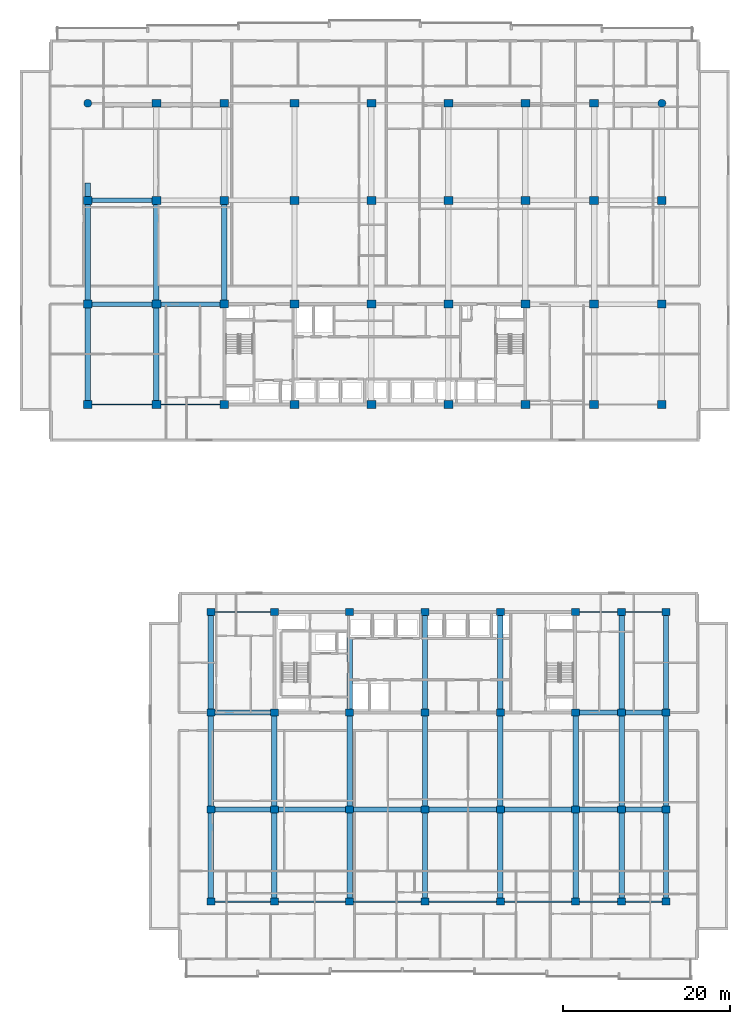
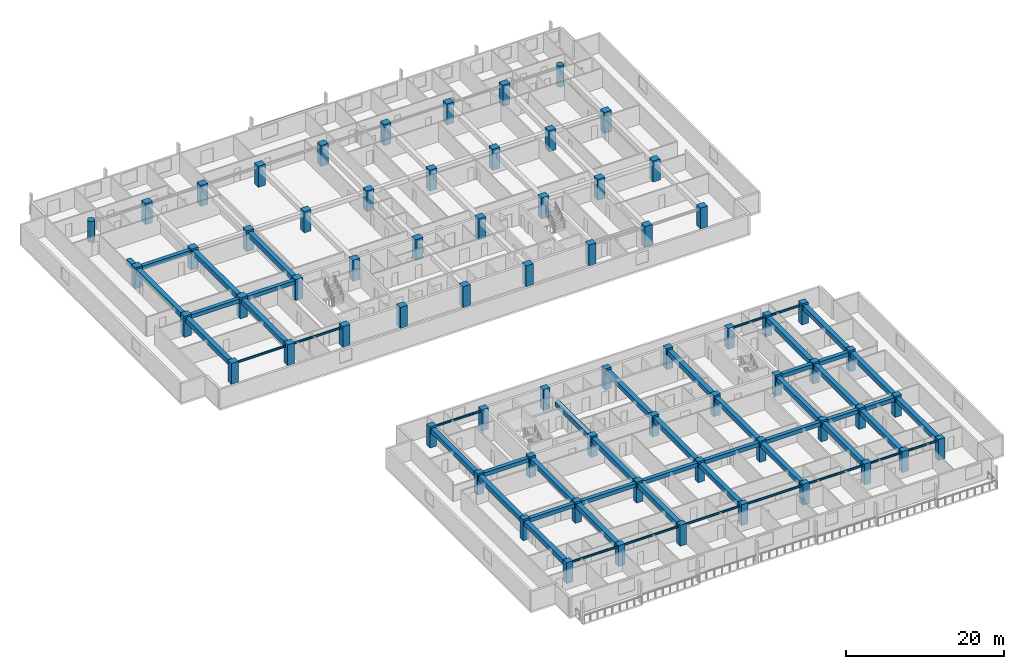
# One storey, part 1 of 23: 68 columns, 53 beams.
"""IFC4 building model written with IfcOpenShell, lengths in metres."""

from ifc_helpers import new_model, si_unit, direction, frame, origin, origin_2d, place, context, subcontext, project, spatial, rectangle, circle, i_section, extrude, material, material_profile, profile_set, type_object, element, save


model = new_model("IFC4")

# Units and contexts
model_context = context("Model", 3, precision=1e-05, world=origin(), true_north=direction((0.0, 1.0)))
body_context = subcontext(model_context, "Body", "Model", "MODEL_VIEW")
ifc_project = project(units=[si_unit("LENGTHUNIT", "METRE"), si_unit("AREAUNIT", "SQUARE_METRE"), si_unit("VOLUMEUNIT", "CUBIC_METRE"), si_unit("PLANEANGLEUNIT", "RADIAN"), si_unit("MASSUNIT", "GRAM", prefix="KILO")], contexts=[model_context])

# Site, building, storey
site_placement = place(None, origin())
site = spatial("IfcSite", under=ifc_project, at=site_placement, CompositionType="ELEMENT")
building_placement = place(site_placement, origin())
building = spatial("IfcBuilding", under=site, at=building_placement, Name="Korimba Cascade Residences", CompositionType="ELEMENT")
storey_placement = place(building_placement, frame((0.0, 0.0, 53.25)))
storey = spatial("IfcBuildingStorey", under=building, at=storey_placement, Name="L14", CompositionType="ELEMENT", Elevation=53.25)

# Columns
ifc_material_1 = material(Name="Concrete C80/95", Category="concrete")
ifc_material_profile_1 = material_profile(ifc_material_1, rectangle(XDim=1.050048828125, YDim=0.949951171875, at=origin_2d()), Name="Concrete C80/95")
ifc_profile_set_1 = profile_set([ifc_material_profile_1], Name="Concrete C80/95")
column_type_1 = type_object("IfcColumnType", Name="COL-RC-1050", PredefinedType="COLUMN", material=ifc_profile_set_1)
for number, where, z_axis, x_axis, name in (
    (1, (59.800048828125, 55.199951171875, 0.0), (0.0, 0.0, 1.0), (1.0, 0.0, 0.0), "L14 Tower 1 Column 1.1"),
    (2, (59.800048828125, 67.199951171875, 0.0), (0.0, 0.0, 1.0), (1.0, 0.0, 0.0), "L14 Tower 1 Column 1.2"),
    (3, (59.800048828125, 79.60009765625, 0.0), (0.0, 0.0, 1.0), (1.0, 0.0, 0.0), "L14 Tower 1 Column 1.3"),
    (4, (68.0, 55.199951171875, 0.0), (0.0, 0.0, 1.0), (1.0, 0.0, 0.0), "L14 Tower 1 Column 2.1"),
    (5, (68.0, 67.199951171875, 0.0), (0.0, 0.0, 1.0), (1.0, 0.0, 0.0), "L14 Tower 1 Column 2.2"),
    (6, (68.0, 79.60009765625, 0.0), (0.0, 0.0, 1.0), (1.0, 0.0, 0.0), "L14 Tower 1 Column 2.3"),
    (7, (68.0, 91.199951171875, 0.0), (0.0, 0.0, 1.0), (1.0, 0.0, 0.0), "L14 Tower 1 Column 2.4"),
    (8, (76.10009765625, 55.199951171875, 0.0), (0.0, 0.0, 1.0), (1.0, 0.0, 0.0), "L14 Tower 1 Column 3.1"),
    (9, (76.10009765625, 67.199951171875, 0.0), (0.0, 0.0, 1.0), (1.0, 0.0, 0.0), "L14 Tower 1 Column 3.2"),
    (10, (76.10009765625, 79.60009765625, 0.0), (0.0, 0.0, 1.0), (1.0, 0.0, 0.0), "L14 Tower 1 Column 3.3"),
    (11, (76.10009765625, 91.199951171875, 0.0), (0.0, 0.0, 1.0), (1.0, 0.0, 0.0), "L14 Tower 1 Column 3.4"),
    (12, (84.5, 55.199951171875, 0.0), (0.0, 0.0, 1.0), (1.0, 0.0, 0.0), "L14 Tower 1 Column 4.1"),
    (13, (84.5, 67.199951171875, 0.0), (0.0, 0.0, 1.0), (1.0, 0.0, 0.0), "L14 Tower 1 Column 4.2"),
    (14, (84.5, 79.60009765625, 0.0), (0.0, 0.0, 1.0), (1.0, 0.0, 0.0), "L14 Tower 1 Column 4.3"),
    (15, (84.5, 91.199951171875, 0.0), (0.0, 0.0, 1.0), (1.0, 0.0, 0.0), "L14 Tower 1 Column 4.4"),
    (16, (93.699951171875, 55.199951171875, 0.0), (0.0, 0.0, 1.0), (1.0, 0.0, 0.0), "L14 Tower 1 Column 5.1"),
    (17, (93.699951171875, 67.199951171875, 0.0), (0.0, 0.0, 1.0), (1.0, 0.0, 0.0), "L14 Tower 1 Column 5.2"),
    (18, (93.699951171875, 79.60009765625, 0.0), (0.0, 0.0, 1.0), (1.0, 0.0, 0.0), "L14 Tower 1 Column 5.3"),
    (19, (93.699951171875, 91.199951171875, 0.0), (0.0, 0.0, 1.0), (1.0, 0.0, 0.0), "L14 Tower 1 Column 5.4"),
    (20, (102.89990234375, 55.199951171875, 0.0), (0.0, 0.0, 1.0), (1.0, 0.0, 0.0), "L14 Tower 1 Column 6.1"),
    (21, (102.89990234375, 67.199951171875, 0.0), (0.0, 0.0, 1.0), (1.0, 0.0, 0.0), "L14 Tower 1 Column 6.2"),
    (22, (102.89990234375, 79.60009765625, 0.0), (0.0, 0.0, 1.0), (1.0, 0.0, 0.0), "L14 Tower 1 Column 6.3"),
    (23, (102.89990234375, 91.199951171875, 0.0), (0.0, 0.0, 1.0), (1.0, 0.0, 0.0), "L14 Tower 1 Column 6.4"),
    (24, (112.10009765625, 55.199951171875, 0.0), (0.0, 0.0, 1.0), (1.0, 0.0, 0.0), "L14 Tower 1 Column 7.1"),
    (25, (112.10009765625, 67.199951171875, 0.0), (0.0, 0.0, 1.0), (1.0, 0.0, 0.0), "L14 Tower 1 Column 7.2"),
    (26, (112.10009765625, 79.60009765625, 0.0), (0.0, 0.0, 1.0), (1.0, 0.0, 0.0), "L14 Tower 1 Column 7.3"),
    (27, (112.10009765625, 91.199951171875, 0.0), (0.0, 0.0, 1.0), (1.0, 0.0, 0.0), "L14 Tower 1 Column 7.4"),
    (28, (120.300048828125, 55.199951171875, 0.0), (0.0, 0.0, 1.0), (1.0, 0.0, 0.0), "L14 Tower 1 Column 8.1"),
    (29, (120.300048828125, 67.199951171875, 0.0), (0.0, 0.0, 1.0), (1.0, 0.0, 0.0), "L14 Tower 1 Column 8.2"),
    (30, (120.300048828125, 79.60009765625, 0.0), (0.0, 0.0, 1.0), (1.0, 0.0, 0.0), "L14 Tower 1 Column 8.3"),
    (31, (120.300048828125, 91.199951171875, 0.0), (0.0, 0.0, 1.0), (1.0, 0.0, 0.0), "L14 Tower 1 Column 8.4"),
    (32, (128.39990234375, 55.199951171875, 0.0), (0.0, 0.0, 1.0), (1.0, 0.0, 0.0), "L14 Tower 1 Column 9.1"),
    (33, (128.39990234375, 67.199951171875, 0.0), (0.0, 0.0, 1.0), (1.0, 0.0, 0.0), "L14 Tower 1 Column 9.2"),
    (34, (128.39990234375, 79.60009765625, 0.0), (0.0, 0.0, 1.0), (1.0, 0.0, 0.0), "L14 Tower 1 Column 9.3"),
):
    element("IfcColumn", number, at=place(storey_placement, frame(where, z_axis=z_axis, x_axis=x_axis)), inside=storey, type_object=column_type_1, Name=name, PredefinedType="COLUMN", context=body_context, shape_type="SweptSolid", body=[
        extrude(rectangle(XDim=1.050048828125, YDim=0.949951171875, at=origin_2d()), origin(), (0.0, 0.0, 1.0), 3.25),
    ])
ifc_material_2 = material(Name="Concrete C65/80", Category="concrete")
ifc_material_profile_2 = material_profile(ifc_material_2, rectangle(XDim=0.949951171875, YDim=0.85009765625, at=origin_2d()), Name="Concrete C65/80")
ifc_profile_set_2 = profile_set([ifc_material_profile_2], Name="Concrete C65/80")
column_type_2 = type_object("IfcColumnType", Name="COL-RC-950", PredefinedType="COLUMN", material=ifc_profile_set_2)
for number, where, z_axis, x_axis, name in (
    (35, (74.5, -4.199951171875, 0.0), (0.0, 0.0, 1.0), (1.0, 0.0, 0.0), "L14 Tower 2 Column 1.1"),
    (36, (74.5, 6.800048828125, 0.0), (0.0, 0.0, 1.0), (1.0, 0.0, 0.0), "L14 Tower 2 Column 1.2"),
    (37, (74.5, 18.39990234375, 0.0), (0.0, 0.0, 1.0), (1.0, 0.0, 0.0), "L14 Tower 2 Column 1.3"),
    (38, (74.5, 30.39990234375, 0.0), (0.0, 0.0, 1.0), (1.0, 0.0, 0.0), "L14 Tower 2 Column 1.4"),
    (39, (82.10009765625, -4.199951171875, 0.0), (0.0, 0.0, 1.0), (1.0, 0.0, 0.0), "L14 Tower 2 Column 2.1"),
    (40, (82.10009765625, 6.800048828125, 0.0), (0.0, 0.0, 1.0), (1.0, 0.0, 0.0), "L14 Tower 2 Column 2.2"),
    (41, (82.10009765625, 18.39990234375, 0.0), (0.0, 0.0, 1.0), (1.0, 0.0, 0.0), "L14 Tower 2 Column 2.3"),
    (42, (82.10009765625, 30.39990234375, 0.0), (0.0, 0.0, 1.0), (1.0, 0.0, 0.0), "L14 Tower 2 Column 2.4"),
    (43, (91.10009765625, -4.199951171875, 0.0), (0.0, 0.0, 1.0), (1.0, 0.0, 0.0), "L14 Tower 2 Column 3.1"),
    (44, (91.10009765625, 6.800048828125, 0.0), (0.0, 0.0, 1.0), (1.0, 0.0, 0.0), "L14 Tower 2 Column 3.2"),
    (45, (91.10009765625, 18.39990234375, 0.0), (0.0, 0.0, 1.0), (1.0, 0.0, 0.0), "L14 Tower 2 Column 3.3"),
    (46, (91.10009765625, 30.39990234375, 0.0), (0.0, 0.0, 1.0), (1.0, 0.0, 0.0), "L14 Tower 2 Column 3.4"),
    (47, (100.10009765625, -4.199951171875, 0.0), (0.0, 0.0, 1.0), (1.0, 0.0, 0.0), "L14 Tower 2 Column 4.1"),
    (48, (100.10009765625, 6.800048828125, 0.0), (0.0, 0.0, 1.0), (1.0, 0.0, 0.0), "L14 Tower 2 Column 4.2"),
    (49, (100.10009765625, 18.39990234375, 0.0), (0.0, 0.0, 1.0), (1.0, 0.0, 0.0), "L14 Tower 2 Column 4.3"),
    (50, (100.10009765625, 30.39990234375, 0.0), (0.0, 0.0, 1.0), (1.0, 0.0, 0.0), "L14 Tower 2 Column 4.4"),
    (51, (109.10009765625, -4.199951171875, 0.0), (0.0, 0.0, 1.0), (1.0, 0.0, 0.0), "L14 Tower 2 Column 5.1"),
    (52, (109.10009765625, 6.800048828125, 0.0), (0.0, 0.0, 1.0), (1.0, 0.0, 0.0), "L14 Tower 2 Column 5.2"),
    (53, (109.10009765625, 18.39990234375, 0.0), (0.0, 0.0, 1.0), (1.0, 0.0, 0.0), "L14 Tower 2 Column 5.3"),
    (54, (109.10009765625, 30.39990234375, 0.0), (0.0, 0.0, 1.0), (1.0, 0.0, 0.0), "L14 Tower 2 Column 5.4"),
    (55, (118.10009765625, -4.199951171875, 0.0), (0.0, 0.0, 1.0), (1.0, 0.0, 0.0), "L14 Tower 2 Column 6.1"),
    (56, (118.10009765625, 6.800048828125, 0.0), (0.0, 0.0, 1.0), (1.0, 0.0, 0.0), "L14 Tower 2 Column 6.2"),
    (57, (118.10009765625, 18.39990234375, 0.0), (0.0, 0.0, 1.0), (1.0, 0.0, 0.0), "L14 Tower 2 Column 6.3"),
    (58, (118.10009765625, 30.39990234375, 0.0), (0.0, 0.0, 1.0), (1.0, 0.0, 0.0), "L14 Tower 2 Column 6.4"),
    (59, (123.60009765625, -4.199951171875, 0.0), (0.0, 0.0, 1.0), (1.0, 0.0, 0.0), "L14 Tower 2 Column 7.1"),
    (60, (123.60009765625, 6.800048828125, 0.0), (0.0, 0.0, 1.0), (1.0, 0.0, 0.0), "L14 Tower 2 Column 7.2"),
    (61, (123.60009765625, 18.39990234375, 0.0), (0.0, 0.0, 1.0), (1.0, 0.0, 0.0), "L14 Tower 2 Column 7.3"),
    (62, (123.60009765625, 30.39990234375, 0.0), (0.0, 0.0, 1.0), (1.0, 0.0, 0.0), "L14 Tower 2 Column 7.4"),
    (63, (128.89990234375, -4.199951171875, 0.0), (0.0, 0.0, 1.0), (1.0, 0.0, 0.0), "L14 Tower 2 Column 8.1"),
    (64, (128.89990234375, 6.800048828125, 0.0), (0.0, 0.0, 1.0), (1.0, 0.0, 0.0), "L14 Tower 2 Column 8.2"),
    (65, (128.89990234375, 18.39990234375, 0.0), (0.0, 0.0, 1.0), (1.0, 0.0, 0.0), "L14 Tower 2 Column 8.3"),
    (66, (128.89990234375, 30.39990234375, 0.0), (0.0, 0.0, 1.0), (1.0, 0.0, 0.0), "L14 Tower 2 Column 8.4"),
):
    element("IfcColumn", number, at=place(storey_placement, frame(where, z_axis=z_axis, x_axis=x_axis)), inside=storey, type_object=column_type_2, Name=name, PredefinedType="COLUMN", context=body_context, shape_type="SweptSolid", body=[
        extrude(rectangle(XDim=0.949951171875, YDim=0.85009765625, at=origin_2d()), origin(), (0.0, 0.0, 1.0), 3.25),
    ])
ifc_material_profile_3 = material_profile(ifc_material_1, circle(Radius=0.47509765625, at=origin_2d()), Name="Concrete C80/95")
ifc_profile_set_3 = profile_set([ifc_material_profile_3], Name="Concrete C80/95")
column_type_3 = type_object("IfcColumnType", Name="COL-RC-D950", PredefinedType="COLUMN", material=ifc_profile_set_3)
for number, where, z_axis, x_axis, name in (
    (67, (59.800048828125, 91.199951171875, 0.0), (0.0, 0.0, 1.0), (1.0, 0.0, 0.0), "L14 Tower 1 Column 1.4"),
    (68, (128.39990234375, 91.199951171875, 0.0), (0.0, 0.0, 1.0), (1.0, 0.0, 0.0), "L14 Tower 1 Column 9.4"),
):
    element("IfcColumn", number, at=place(storey_placement, frame(where, z_axis=z_axis, x_axis=x_axis)), inside=storey, type_object=column_type_3, Name=name, PredefinedType="COLUMN", context=body_context, shape_type="SweptSolid", body=[
        extrude(circle(Radius=0.47509765625, at=origin_2d()), origin(), (0.0, 0.0, 1.0), 3.25),
    ])

# Beams
ifc_material_3 = material(Name="Concrete C50/60", Category="concrete")
ifc_material_profile_4 = material_profile(ifc_material_3, rectangle(XDim=0.550048828125, YDim=0.60009765625, at=origin_2d()), Name="Concrete C50/60")
ifc_profile_set_4 = profile_set([ifc_material_profile_4], Name="Concrete C50/60")
beam_type_1 = type_object("IfcBeamType", Name="BM-RC-B600", PredefinedType="BEAM", material=ifc_profile_set_4)
beam_1_placement = place(storey_placement, frame((60.324951171875, 67.199951171875, 2.669921875), z_axis=(1.0, 0.0, 0.0), x_axis=(0.0, 1.0, 0.0)))
element("IfcBeam", 69, at=beam_1_placement, inside=storey, type_object=beam_type_1, Name="L14 T1 E-W Girder Y2 Bay 1", PredefinedType="BEAM", context=body_context, shape_type="SweptSolid", body=[
    extrude(rectangle(XDim=0.550048828125, YDim=0.60009765625, at=origin_2d()), origin(), (0.0, 0.0, 1.0), 7.150146484375),
])
beam_2_placement = place(storey_placement, frame((68.52490234375, 67.199951171875, 2.669921875), z_axis=(1.0, 0.0, 0.0), x_axis=(0.0, 1.0, 0.0)))
element("IfcBeam", 70, at=beam_2_placement, inside=storey, type_object=beam_type_1, Name="L14 T1 E-W Girder Y2 Bay 2", PredefinedType="BEAM", context=body_context, shape_type="SweptSolid", body=[
    extrude(rectangle(XDim=0.550048828125, YDim=0.60009765625, at=origin_2d()), origin(), (0.0, 0.0, 1.0), 7.050048828125),
])
beam_3_placement = place(storey_placement, frame((60.324951171875, 79.60009765625, 2.669921875), z_axis=(1.0, 0.0, 0.0), x_axis=(0.0, 1.0, 0.0)))
element("IfcBeam", 71, at=beam_3_placement, inside=storey, type_object=beam_type_1, Name="L14 T1 E-W Girder Y3 Bay 1", PredefinedType="BEAM", context=body_context, shape_type="SweptSolid", body=[
    extrude(rectangle(XDim=0.550048828125, YDim=0.60009765625, at=origin_2d()), origin(), (0.0, 0.0, 1.0), 7.150146484375),
])
beam_4_placement = place(storey_placement, frame((74.97509765625, 6.800048828125, 2.669921875), z_axis=(1.0, 0.0, 0.0), x_axis=(0.0, 1.0, 0.0)))
element("IfcBeam", 72, at=beam_4_placement, inside=storey, type_object=beam_type_1, Name="L14 T2 E-W Girder Y2 Bay 1", PredefinedType="BEAM", context=body_context, shape_type="SweptSolid", body=[
    extrude(rectangle(XDim=0.550048828125, YDim=0.60009765625, at=origin_2d()), origin(), (0.0, 0.0, 1.0), 6.64990234375),
])
for number, where, z_axis, x_axis, name in (
    (73, (82.574951171875, 6.800048828125, 2.669921875), (1.0, 0.0, 0.0), (0.0, 1.0, 0.0), "L14 T2 E-W Girder Y2 Bay 2"),
    (74, (91.574951171875, 6.800048828125, 2.669921875), (1.0, 0.0, 0.0), (0.0, 1.0, 0.0), "L14 T2 E-W Girder Y2 Bay 3"),
    (75, (100.574951171875, 6.800048828125, 2.669921875), (1.0, 0.0, 0.0), (0.0, 1.0, 0.0), "L14 T2 E-W Girder Y2 Bay 4"),
    (76, (109.574951171875, 6.800048828125, 2.669921875), (1.0, 0.0, 0.0), (0.0, 1.0, 0.0), "L14 T2 E-W Girder Y2 Bay 5"),
):
    element("IfcBeam", number, at=place(storey_placement, frame(where, z_axis=z_axis, x_axis=x_axis)), inside=storey, type_object=beam_type_1, Name=name, PredefinedType="BEAM", context=body_context, shape_type="SweptSolid", body=[
        extrude(rectangle(XDim=0.550048828125, YDim=0.60009765625, at=origin_2d()), origin(), (0.0, 0.0, 1.0), 8.050048828125),
    ])
beam_5_placement = place(storey_placement, frame((118.574951171875, 6.800048828125, 2.669921875), z_axis=(1.0, 0.0, 0.0), x_axis=(0.0, 1.0, 0.0)))
element("IfcBeam", 77, at=beam_5_placement, inside=storey, type_object=beam_type_1, Name="L14 T2 E-W Girder Y2 Bay 6", PredefinedType="BEAM", context=body_context, shape_type="SweptSolid", body=[
    extrude(rectangle(XDim=0.550048828125, YDim=0.60009765625, at=origin_2d()), origin(), (0.0, 0.0, 1.0), 4.550048828125),
])
beam_6_placement = place(storey_placement, frame((124.074951171875, 6.800048828125, 2.669921875), z_axis=(1.0, 0.0, 0.0), x_axis=(0.0, 1.0, 0.0)))
element("IfcBeam", 78, at=beam_6_placement, inside=storey, type_object=beam_type_1, Name="L14 T2 E-W Girder Y2 Bay 7", PredefinedType="BEAM", context=body_context, shape_type="SweptSolid", body=[
    extrude(rectangle(XDim=0.550048828125, YDim=0.60009765625, at=origin_2d()), origin(), (0.0, 0.0, 1.0), 4.35009765625),
])
beam_7_placement = place(storey_placement, frame((74.97509765625, 18.39990234375, 2.669921875), z_axis=(1.0, 0.0, 0.0), x_axis=(0.0, 1.0, 0.0)))
element("IfcBeam", 79, at=beam_7_placement, inside=storey, type_object=beam_type_1, Name="L14 T2 E-W Girder Y3 Bay 1", PredefinedType="BEAM", context=body_context, shape_type="SweptSolid", body=[
    extrude(rectangle(XDim=0.550048828125, YDim=0.60009765625, at=origin_2d()), origin(), (0.0, 0.0, 1.0), 6.64990234375),
])
beam_8_placement = place(storey_placement, frame((118.574951171875, 18.39990234375, 2.669921875), z_axis=(1.0, 0.0, 0.0), x_axis=(0.0, 1.0, 0.0)))
element("IfcBeam", 80, at=beam_8_placement, inside=storey, type_object=beam_type_1, Name="L14 T2 E-W Girder Y3 Bay 6", PredefinedType="BEAM", context=body_context, shape_type="SweptSolid", body=[
    extrude(rectangle(XDim=0.550048828125, YDim=0.60009765625, at=origin_2d()), origin(), (0.0, 0.0, 1.0), 4.550048828125),
])
beam_9_placement = place(storey_placement, frame((124.074951171875, 18.39990234375, 2.669921875), z_axis=(1.0, 0.0, 0.0), x_axis=(0.0, 1.0, 0.0)))
element("IfcBeam", 81, at=beam_9_placement, inside=storey, type_object=beam_type_1, Name="L14 T2 E-W Girder Y3 Bay 7", PredefinedType="BEAM", context=body_context, shape_type="SweptSolid", body=[
    extrude(rectangle(XDim=0.550048828125, YDim=0.60009765625, at=origin_2d()), origin(), (0.0, 0.0, 1.0), 4.35009765625),
])
ifc_material_profile_5 = material_profile(ifc_material_3, rectangle(XDim=0.64990234375, YDim=0.75, at=origin_2d()), Name="Concrete C50/60")
ifc_profile_set_5 = profile_set([ifc_material_profile_5], Name="Concrete C50/60")
beam_type_2 = type_object("IfcBeamType", Name="BM-RC-G750", PredefinedType="BEAM", material=ifc_profile_set_5)
beam_10_placement = place(storey_placement, frame((59.800048828125, 55.675048828125, 2.594970703125), z_axis=(0.0, 1.0, 0.0), x_axis=(-1.0, 0.0, 0.0)))
element("IfcBeam", 82, at=beam_10_placement, inside=storey, type_object=beam_type_2, Name="L14 T1 N-S Girder X1 Seg 1", PredefinedType="BEAM", context=body_context, shape_type="SweptSolid", body=[
    extrude(rectangle(XDim=0.64990234375, YDim=0.75, at=origin_2d()), origin(), (0.0, 0.0, 1.0), 11.050048828125),
])
beam_11_placement = place(storey_placement, frame((59.800048828125, 67.675048828125, 2.594970703125), z_axis=(0.0, 1.0, 0.0), x_axis=(-1.0, 0.0, 0.0)))
element("IfcBeam", 83, at=beam_11_placement, inside=storey, type_object=beam_type_2, Name="L14 T1 N-S Girder X1 Seg 2", PredefinedType="BEAM", context=body_context, shape_type="SweptSolid", body=[
    extrude(rectangle(XDim=0.64990234375, YDim=0.75, at=origin_2d()), origin(), (0.0, 0.0, 1.0), 11.449951171875),
])
beam_12_placement = place(storey_placement, frame((59.800048828125, 80.074951171875, 2.594970703125), z_axis=(0.0, 1.0, 0.0), x_axis=(-1.0, 0.0, 0.0)))
element("IfcBeam", 84, at=beam_12_placement, inside=storey, type_object=beam_type_2, Name="L14 T1 N-S Girder X1 Seg 3", PredefinedType="BEAM", context=body_context, shape_type="SweptSolid", body=[
    extrude(rectangle(XDim=0.64990234375, YDim=0.75, at=origin_2d()), origin(), (0.0, 0.0, 1.0), 1.625),
])
beam_13_placement = place(storey_placement, frame((68.0, 55.675048828125, 2.594970703125), z_axis=(0.0, 1.0, 0.0), x_axis=(-1.0, 0.0, 0.0)))
element("IfcBeam", 85, at=beam_13_placement, inside=storey, type_object=beam_type_2, Name="L14 T1 N-S Girder X2 Seg 1", PredefinedType="BEAM", context=body_context, shape_type="SweptSolid", body=[
    extrude(rectangle(XDim=0.64990234375, YDim=0.75, at=origin_2d()), origin(), (0.0, 0.0, 1.0), 11.050048828125),
])
for number, where, z_axis, x_axis, name in (
    (86, (68.0, 67.675048828125, 2.594970703125), (0.0, 1.0, 0.0), (-1.0, 0.0, 0.0), "L14 T1 N-S Girder X2 Seg 2"),
    (87, (76.10009765625, 67.675048828125, 2.594970703125), (0.0, 1.0, 0.0), (-1.0, 0.0, 0.0), "L14 T1 N-S Girder X3 Seg 2"),
):
    element("IfcBeam", number, at=place(storey_placement, frame(where, z_axis=z_axis, x_axis=x_axis)), inside=storey, type_object=beam_type_2, Name=name, PredefinedType="BEAM", context=body_context, shape_type="SweptSolid", body=[
        extrude(rectangle(XDim=0.64990234375, YDim=0.75, at=origin_2d()), origin(), (0.0, 0.0, 1.0), 11.449951171875),
    ])
beam_14_placement = place(storey_placement, frame((74.5, -3.77490234375, 2.594970703125), z_axis=(0.0, 1.0, 0.0), x_axis=(-1.0, 0.0, 0.0)))
element("IfcBeam", 88, at=beam_14_placement, inside=storey, type_object=beam_type_2, Name="L14 T2 N-S Girder X1 Seg 1", PredefinedType="BEAM", context=body_context, shape_type="SweptSolid", body=[
    extrude(rectangle(XDim=0.64990234375, YDim=0.75, at=origin_2d()), origin(), (0.0, 0.0, 1.0), 10.14990234375),
])
beam_15_placement = place(storey_placement, frame((74.5, 7.22509765625, 2.594970703125), z_axis=(0.0, 1.0, 0.0), x_axis=(-1.0, 0.0, 0.0)))
element("IfcBeam", 89, at=beam_15_placement, inside=storey, type_object=beam_type_2, Name="L14 T2 N-S Girder X1 Seg 2", PredefinedType="BEAM", context=body_context, shape_type="SweptSolid", body=[
    extrude(rectangle(XDim=0.64990234375, YDim=0.75, at=origin_2d()), origin(), (0.0, 0.0, 1.0), 10.75),
])
beam_16_placement = place(storey_placement, frame((74.5, 18.824951171875, 2.594970703125), z_axis=(0.0, 1.0, 0.0), x_axis=(-1.0, 0.0, 0.0)))
element("IfcBeam", 90, at=beam_16_placement, inside=storey, type_object=beam_type_2, Name="L14 T2 N-S Girder X1 Seg 3", PredefinedType="BEAM", context=body_context, shape_type="SweptSolid", body=[
    extrude(rectangle(XDim=0.64990234375, YDim=0.75, at=origin_2d()), origin(), (0.0, 0.0, 1.0), 11.150146484375),
])
beam_17_placement = place(storey_placement, frame((82.10009765625, -3.77490234375, 2.594970703125), z_axis=(0.0, 1.0, 0.0), x_axis=(-1.0, 0.0, 0.0)))
element("IfcBeam", 91, at=beam_17_placement, inside=storey, type_object=beam_type_2, Name="L14 T2 N-S Girder X2 Seg 1", PredefinedType="BEAM", context=body_context, shape_type="SweptSolid", body=[
    extrude(rectangle(XDim=0.64990234375, YDim=0.75, at=origin_2d()), origin(), (0.0, 0.0, 1.0), 10.14990234375),
])
beam_18_placement = place(storey_placement, frame((82.10009765625, 7.22509765625, 2.594970703125), z_axis=(0.0, 1.0, 0.0), x_axis=(-1.0, 0.0, 0.0)))
element("IfcBeam", 92, at=beam_18_placement, inside=storey, type_object=beam_type_2, Name="L14 T2 N-S Girder X2 Seg 2", PredefinedType="BEAM", context=body_context, shape_type="SweptSolid", body=[
    extrude(rectangle(XDim=0.64990234375, YDim=0.75, at=origin_2d()), origin(), (0.0, 0.0, 1.0), 10.75),
])
beam_19_placement = place(storey_placement, frame((91.10009765625, -3.77490234375, 2.594970703125), z_axis=(0.0, 1.0, 0.0), x_axis=(-1.0, 0.0, 0.0)))
element("IfcBeam", 93, at=beam_19_placement, inside=storey, type_object=beam_type_2, Name="L14 T2 N-S Girder X3 Seg 1", PredefinedType="BEAM", context=body_context, shape_type="SweptSolid", body=[
    extrude(rectangle(XDim=0.64990234375, YDim=0.75, at=origin_2d()), origin(), (0.0, 0.0, 1.0), 10.14990234375),
])
beam_20_placement = place(storey_placement, frame((91.10009765625, 7.22509765625, 2.594970703125), z_axis=(0.0, 1.0, 0.0), x_axis=(-1.0, 0.0, 0.0)))
element("IfcBeam", 94, at=beam_20_placement, inside=storey, type_object=beam_type_2, Name="L14 T2 N-S Girder X3 Seg 2", PredefinedType="BEAM", context=body_context, shape_type="SweptSolid", body=[
    extrude(rectangle(XDim=0.64990234375, YDim=0.75, at=origin_2d()), origin(), (0.0, 0.0, 1.0), 10.75),
])
beam_21_placement = place(storey_placement, frame((91.10009765625, 18.824951171875, 2.594970703125), z_axis=(0.0, 1.0, 0.0), x_axis=(-1.0, 0.0, 0.0)))
element("IfcBeam", 95, at=beam_21_placement, inside=storey, type_object=beam_type_2, Name="L14 T2 N-S Girder X3 Seg 3", PredefinedType="BEAM", context=body_context, shape_type="SweptSolid", body=[
    extrude(rectangle(XDim=0.64990234375, YDim=0.75, at=origin_2d()), origin(), (0.0, 0.0, 1.0), 8.51513671875),
])
beam_22_placement = place(storey_placement, frame((100.10009765625, -3.77490234375, 2.594970703125), z_axis=(0.0, 1.0, 0.0), x_axis=(-1.0, 0.0, 0.0)))
element("IfcBeam", 96, at=beam_22_placement, inside=storey, type_object=beam_type_2, Name="L14 T2 N-S Girder X4 Seg 1", PredefinedType="BEAM", context=body_context, shape_type="SweptSolid", body=[
    extrude(rectangle(XDim=0.64990234375, YDim=0.75, at=origin_2d()), origin(), (0.0, 0.0, 1.0), 10.14990234375),
])
beam_23_placement = place(storey_placement, frame((100.10009765625, 7.22509765625, 2.594970703125), z_axis=(0.0, 1.0, 0.0), x_axis=(-1.0, 0.0, 0.0)))
element("IfcBeam", 97, at=beam_23_placement, inside=storey, type_object=beam_type_2, Name="L14 T2 N-S Girder X4 Seg 2", PredefinedType="BEAM", context=body_context, shape_type="SweptSolid", body=[
    extrude(rectangle(XDim=0.64990234375, YDim=0.75, at=origin_2d()), origin(), (0.0, 0.0, 1.0), 10.75),
])
beam_24_placement = place(storey_placement, frame((100.10009765625, 18.824951171875, 2.594970703125), z_axis=(0.0, 1.0, 0.0), x_axis=(-1.0, 0.0, 0.0)))
element("IfcBeam", 98, at=beam_24_placement, inside=storey, type_object=beam_type_2, Name="L14 T2 N-S Girder X4 Seg 3", PredefinedType="BEAM", context=body_context, shape_type="SweptSolid", body=[
    extrude(rectangle(XDim=0.64990234375, YDim=0.75, at=origin_2d()), origin(), (0.0, 0.0, 1.0), 11.150146484375),
])
beam_25_placement = place(storey_placement, frame((109.10009765625, -3.77490234375, 2.594970703125), z_axis=(0.0, 1.0, 0.0), x_axis=(-1.0, 0.0, 0.0)))
element("IfcBeam", 99, at=beam_25_placement, inside=storey, type_object=beam_type_2, Name="L14 T2 N-S Girder X5 Seg 1", PredefinedType="BEAM", context=body_context, shape_type="SweptSolid", body=[
    extrude(rectangle(XDim=0.64990234375, YDim=0.75, at=origin_2d()), origin(), (0.0, 0.0, 1.0), 10.14990234375),
])
beam_26_placement = place(storey_placement, frame((109.10009765625, 7.22509765625, 2.594970703125), z_axis=(0.0, 1.0, 0.0), x_axis=(-1.0, 0.0, 0.0)))
element("IfcBeam", 100, at=beam_26_placement, inside=storey, type_object=beam_type_2, Name="L14 T2 N-S Girder X5 Seg 2", PredefinedType="BEAM", context=body_context, shape_type="SweptSolid", body=[
    extrude(rectangle(XDim=0.64990234375, YDim=0.75, at=origin_2d()), origin(), (0.0, 0.0, 1.0), 10.75),
])
beam_27_placement = place(storey_placement, frame((109.10009765625, 18.824951171875, 2.594970703125), z_axis=(0.0, 1.0, 0.0), x_axis=(-1.0, 0.0, 0.0)))
element("IfcBeam", 101, at=beam_27_placement, inside=storey, type_object=beam_type_2, Name="L14 T2 N-S Girder X5 Seg 3", PredefinedType="BEAM", context=body_context, shape_type="SweptSolid", body=[
    extrude(rectangle(XDim=0.64990234375, YDim=0.75, at=origin_2d()), origin(), (0.0, 0.0, 1.0), 11.150146484375),
])
beam_28_placement = place(storey_placement, frame((118.10009765625, -3.77490234375, 2.594970703125), z_axis=(0.0, 1.0, 0.0), x_axis=(-1.0, 0.0, 0.0)))
element("IfcBeam", 102, at=beam_28_placement, inside=storey, type_object=beam_type_2, Name="L14 T2 N-S Girder X6 Seg 1", PredefinedType="BEAM", context=body_context, shape_type="SweptSolid", body=[
    extrude(rectangle(XDim=0.64990234375, YDim=0.75, at=origin_2d()), origin(), (0.0, 0.0, 1.0), 10.14990234375),
])
beam_29_placement = place(storey_placement, frame((118.10009765625, 7.22509765625, 2.594970703125), z_axis=(0.0, 1.0, 0.0), x_axis=(-1.0, 0.0, 0.0)))
element("IfcBeam", 103, at=beam_29_placement, inside=storey, type_object=beam_type_2, Name="L14 T2 N-S Girder X6 Seg 2", PredefinedType="BEAM", context=body_context, shape_type="SweptSolid", body=[
    extrude(rectangle(XDim=0.64990234375, YDim=0.75, at=origin_2d()), origin(), (0.0, 0.0, 1.0), 10.75),
])
beam_30_placement = place(storey_placement, frame((123.60009765625, -3.77490234375, 2.594970703125), z_axis=(0.0, 1.0, 0.0), x_axis=(-1.0, 0.0, 0.0)))
element("IfcBeam", 104, at=beam_30_placement, inside=storey, type_object=beam_type_2, Name="L14 T2 N-S Girder X7 Seg 1", PredefinedType="BEAM", context=body_context, shape_type="SweptSolid", body=[
    extrude(rectangle(XDim=0.64990234375, YDim=0.75, at=origin_2d()), origin(), (0.0, 0.0, 1.0), 10.14990234375),
])
beam_31_placement = place(storey_placement, frame((123.60009765625, 7.22509765625, 2.594970703125), z_axis=(0.0, 1.0, 0.0), x_axis=(-1.0, 0.0, 0.0)))
element("IfcBeam", 105, at=beam_31_placement, inside=storey, type_object=beam_type_2, Name="L14 T2 N-S Girder X7 Seg 2", PredefinedType="BEAM", context=body_context, shape_type="SweptSolid", body=[
    extrude(rectangle(XDim=0.64990234375, YDim=0.75, at=origin_2d()), origin(), (0.0, 0.0, 1.0), 10.75),
])
beam_32_placement = place(storey_placement, frame((123.60009765625, 18.824951171875, 2.594970703125), z_axis=(0.0, 1.0, 0.0), x_axis=(-1.0, 0.0, 0.0)))
element("IfcBeam", 106, at=beam_32_placement, inside=storey, type_object=beam_type_2, Name="L14 T2 N-S Girder X7 Seg 3", PredefinedType="BEAM", context=body_context, shape_type="SweptSolid", body=[
    extrude(rectangle(XDim=0.64990234375, YDim=0.75, at=origin_2d()), origin(), (0.0, 0.0, 1.0), 11.150146484375),
])
beam_33_placement = place(storey_placement, frame((128.89990234375, -3.77490234375, 2.594970703125), z_axis=(0.0, 1.0, 0.0), x_axis=(-1.0, 0.0, 0.0)))
element("IfcBeam", 107, at=beam_33_placement, inside=storey, type_object=beam_type_2, Name="L14 T2 N-S Girder X8 Seg 1", PredefinedType="BEAM", context=body_context, shape_type="SweptSolid", body=[
    extrude(rectangle(XDim=0.64990234375, YDim=0.75, at=origin_2d()), origin(), (0.0, 0.0, 1.0), 10.14990234375),
])
beam_34_placement = place(storey_placement, frame((128.89990234375, 7.22509765625, 2.594970703125), z_axis=(0.0, 1.0, 0.0), x_axis=(-1.0, 0.0, 0.0)))
element("IfcBeam", 108, at=beam_34_placement, inside=storey, type_object=beam_type_2, Name="L14 T2 N-S Girder X8 Seg 2", PredefinedType="BEAM", context=body_context, shape_type="SweptSolid", body=[
    extrude(rectangle(XDim=0.64990234375, YDim=0.75, at=origin_2d()), origin(), (0.0, 0.0, 1.0), 10.75),
])
beam_35_placement = place(storey_placement, frame((128.89990234375, 18.824951171875, 2.594970703125), z_axis=(0.0, 1.0, 0.0), x_axis=(-1.0, 0.0, 0.0)))
element("IfcBeam", 109, at=beam_35_placement, inside=storey, type_object=beam_type_2, Name="L14 T2 N-S Girder X8 Seg 3", PredefinedType="BEAM", context=body_context, shape_type="SweptSolid", body=[
    extrude(rectangle(XDim=0.64990234375, YDim=0.75, at=origin_2d()), origin(), (0.0, 0.0, 1.0), 11.150146484375),
])
ifc_material_4 = material(Name="Steel S355", Category="steel")
ifc_material_profile_6 = material_profile(ifc_material_4, i_section(OverallWidth=0.165771484375, OverallDepth=0.306640625, WebThickness=0.006591796875, FlangeThickness=0.01171875, FilletRadius=0.0087890625, at=origin_2d()), Name="Steel S355")
ifc_profile_set_6 = profile_set([ifc_material_profile_6], Name="Steel S355")
beam_type_3 = type_object("IfcBeamType", Name="BM-STL-UB305", PredefinedType="SPANDREL", material=ifc_profile_set_6)
beam_36_placement = place(storey_placement, frame((60.324951171875, 55.199951171875, 2.816650390625), z_axis=(1.0, 0.0, 0.0), x_axis=(0.0, 1.0, 0.0)))
element("IfcBeam", 110, at=beam_36_placement, inside=storey, type_object=beam_type_3, Name="L14 T1 E-W Girder Y1 Bay 1", PredefinedType="SPANDREL", context=body_context, shape_type="SweptSolid", body=[
    extrude(i_section(OverallWidth=0.165771484375, OverallDepth=0.306640625, WebThickness=0.006591796875, FlangeThickness=0.01171875, FilletRadius=0.0087890625, at=origin_2d()), origin(), (0.0, 0.0, 1.0), 7.150146484375),
])
beam_37_placement = place(storey_placement, frame((68.52490234375, 55.199951171875, 2.816650390625), z_axis=(1.0, 0.0, 0.0), x_axis=(0.0, 1.0, 0.0)))
element("IfcBeam", 111, at=beam_37_placement, inside=storey, type_object=beam_type_3, Name="L14 T1 E-W Girder Y1 Bay 2", PredefinedType="SPANDREL", context=body_context, shape_type="SweptSolid", body=[
    extrude(i_section(OverallWidth=0.165771484375, OverallDepth=0.306640625, WebThickness=0.006591796875, FlangeThickness=0.01171875, FilletRadius=0.0087890625, at=origin_2d()), origin(), (0.0, 0.0, 1.0), 7.050048828125),
])
beam_38_placement = place(storey_placement, frame((74.97509765625, -4.199951171875, 2.816650390625), z_axis=(1.0, 0.0, 0.0), x_axis=(0.0, 1.0, 0.0)))
element("IfcBeam", 112, at=beam_38_placement, inside=storey, type_object=beam_type_3, Name="L14 T2 E-W Girder Y1 Bay 1", PredefinedType="SPANDREL", context=body_context, shape_type="SweptSolid", body=[
    extrude(i_section(OverallWidth=0.165771484375, OverallDepth=0.306640625, WebThickness=0.006591796875, FlangeThickness=0.01171875, FilletRadius=0.0087890625, at=origin_2d()), origin(), (0.0, 0.0, 1.0), 6.64990234375),
])
for number, where, z_axis, x_axis, name in (
    (113, (82.574951171875, -4.199951171875, 2.816650390625), (1.0, 0.0, 0.0), (0.0, 1.0, 0.0), "L14 T2 E-W Girder Y1 Bay 2"),
    (114, (91.574951171875, -4.199951171875, 2.816650390625), (1.0, 0.0, 0.0), (0.0, 1.0, 0.0), "L14 T2 E-W Girder Y1 Bay 3"),
    (115, (100.574951171875, -4.199951171875, 2.816650390625), (1.0, 0.0, 0.0), (0.0, 1.0, 0.0), "L14 T2 E-W Girder Y1 Bay 4"),
    (116, (109.574951171875, -4.199951171875, 2.816650390625), (1.0, 0.0, 0.0), (0.0, 1.0, 0.0), "L14 T2 E-W Girder Y1 Bay 5"),
):
    element("IfcBeam", number, at=place(storey_placement, frame(where, z_axis=z_axis, x_axis=x_axis)), inside=storey, type_object=beam_type_3, Name=name, PredefinedType="SPANDREL", context=body_context, shape_type="SweptSolid", body=[
        extrude(i_section(OverallWidth=0.165771484375, OverallDepth=0.306640625, WebThickness=0.006591796875, FlangeThickness=0.01171875, FilletRadius=0.0087890625, at=origin_2d()), origin(), (0.0, 0.0, 1.0), 8.050048828125),
    ])
beam_39_placement = place(storey_placement, frame((118.574951171875, -4.199951171875, 2.816650390625), z_axis=(1.0, 0.0, 0.0), x_axis=(0.0, 1.0, 0.0)))
element("IfcBeam", 117, at=beam_39_placement, inside=storey, type_object=beam_type_3, Name="L14 T2 E-W Girder Y1 Bay 6", PredefinedType="SPANDREL", context=body_context, shape_type="SweptSolid", body=[
    extrude(i_section(OverallWidth=0.165771484375, OverallDepth=0.306640625, WebThickness=0.006591796875, FlangeThickness=0.01171875, FilletRadius=0.0087890625, at=origin_2d()), origin(), (0.0, 0.0, 1.0), 4.550048828125),
])
beam_40_placement = place(storey_placement, frame((124.074951171875, -4.199951171875, 2.816650390625), z_axis=(1.0, 0.0, 0.0), x_axis=(0.0, 1.0, 0.0)))
element("IfcBeam", 118, at=beam_40_placement, inside=storey, type_object=beam_type_3, Name="L14 T2 E-W Girder Y1 Bay 7", PredefinedType="SPANDREL", context=body_context, shape_type="SweptSolid", body=[
    extrude(i_section(OverallWidth=0.165771484375, OverallDepth=0.306640625, WebThickness=0.006591796875, FlangeThickness=0.01171875, FilletRadius=0.0087890625, at=origin_2d()), origin(), (0.0, 0.0, 1.0), 4.35009765625),
])
beam_41_placement = place(storey_placement, frame((74.97509765625, 30.39990234375, 2.816650390625), z_axis=(1.0, 0.0, 0.0), x_axis=(0.0, 1.0, 0.0)))
element("IfcBeam", 119, at=beam_41_placement, inside=storey, type_object=beam_type_3, Name="L14 T2 E-W Girder Y4 Bay 1", PredefinedType="SPANDREL", context=body_context, shape_type="SweptSolid", body=[
    extrude(i_section(OverallWidth=0.165771484375, OverallDepth=0.306640625, WebThickness=0.006591796875, FlangeThickness=0.01171875, FilletRadius=0.0087890625, at=origin_2d()), origin(), (0.0, 0.0, 1.0), 6.64990234375),
])
beam_42_placement = place(storey_placement, frame((118.574951171875, 30.39990234375, 2.816650390625), z_axis=(1.0, 0.0, 0.0), x_axis=(0.0, 1.0, 0.0)))
element("IfcBeam", 120, at=beam_42_placement, inside=storey, type_object=beam_type_3, Name="L14 T2 E-W Girder Y4 Bay 6", PredefinedType="SPANDREL", context=body_context, shape_type="SweptSolid", body=[
    extrude(i_section(OverallWidth=0.165771484375, OverallDepth=0.306640625, WebThickness=0.006591796875, FlangeThickness=0.01171875, FilletRadius=0.0087890625, at=origin_2d()), origin(), (0.0, 0.0, 1.0), 4.550048828125),
])
beam_43_placement = place(storey_placement, frame((124.074951171875, 30.39990234375, 2.816650390625), z_axis=(1.0, 0.0, 0.0), x_axis=(0.0, 1.0, 0.0)))
element("IfcBeam", 121, at=beam_43_placement, inside=storey, type_object=beam_type_3, Name="L14 T2 E-W Girder Y4 Bay 7", PredefinedType="SPANDREL", context=body_context, shape_type="SweptSolid", body=[
    extrude(i_section(OverallWidth=0.165771484375, OverallDepth=0.306640625, WebThickness=0.006591796875, FlangeThickness=0.01171875, FilletRadius=0.0087890625, at=origin_2d()), origin(), (0.0, 0.0, 1.0), 4.35009765625),
])

save(model, "model.ifc")
